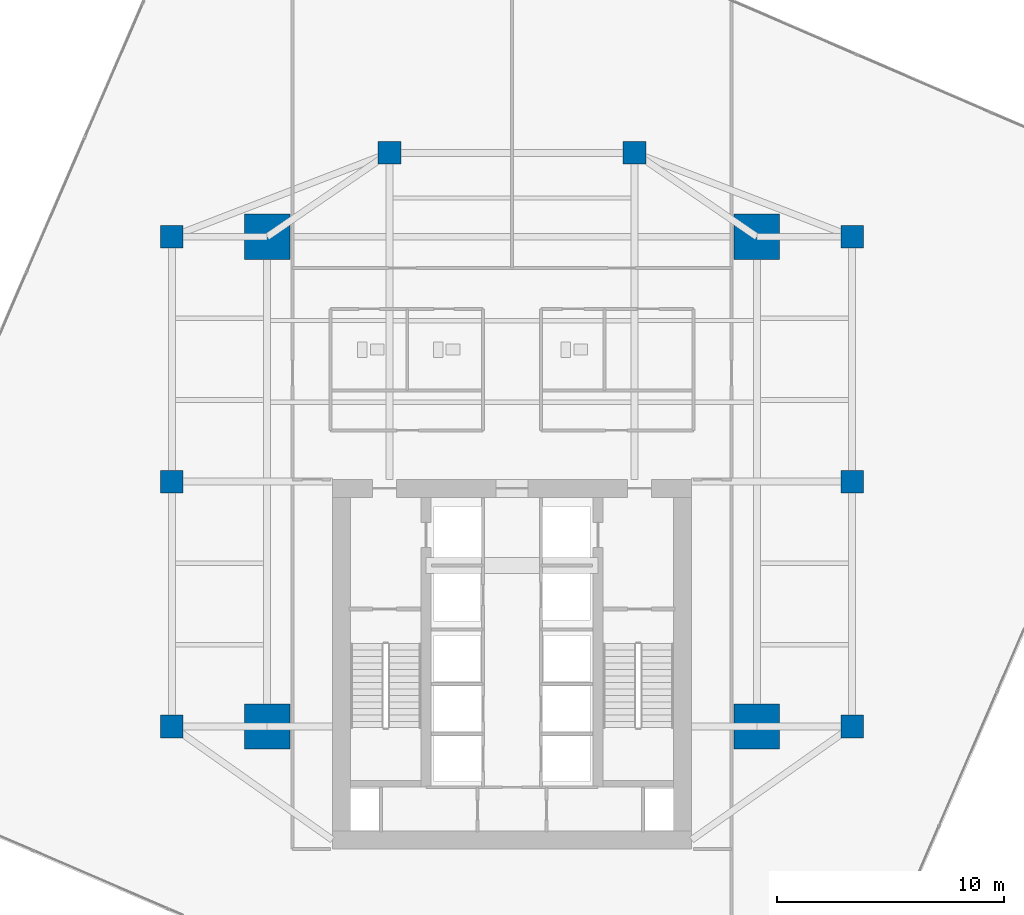
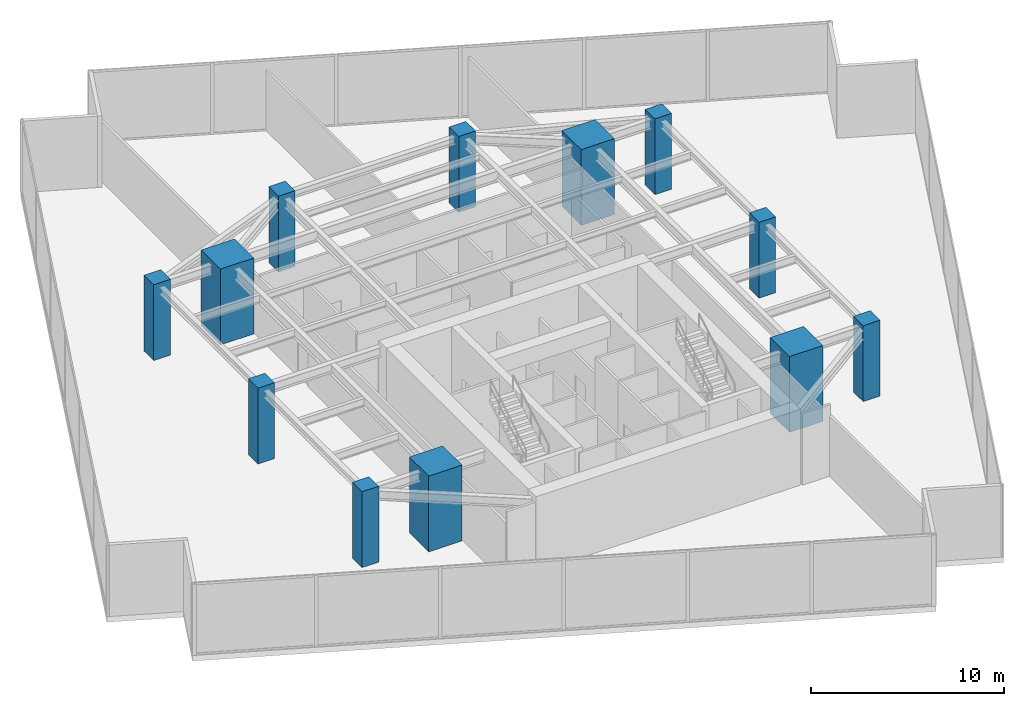
# One storey, part 1 of 24: 12 columns.
"""IFC4 building model written with IfcOpenShell, lengths in metres."""

import ifcopenshell
import ifcopenshell.guid

model = None  # the IFC model being written
_history = None  # IfcOwnerHistory: only IFC2X3 demands one
_inside = {}  # id of a spatial element -> (the spatial element, [elements in it])
_under = {}  # id of a project, library or spatial element -> (it, [spatial elements below it])
_declared = {}  # id of a project -> (the project, [libraries it declares])
_typed = {}  # id of a type object -> (the type object, [elements of that type])
_made_of = {}  # id of a material, layer set ... -> (it, [elements and type objects made of it])


def new_model(schema):
    """Start an empty IFC model of exactly this schema.

    Asked for "IFC4X3", IfcOpenShell would pick the latest addendum, in which some entities
    have other attributes; the version numbers below select the first issue.
    IFC2X3 requires an IfcOwnerHistory on every rooted entity: one is made here for all.
    """
    global model, _history
    if schema == "IFC4X3":
        model = ifcopenshell.file(schema_version=(4, 3, 0, 0))
    else:
        model = ifcopenshell.file(schema=schema)
    _inside.clear()
    _under.clear()
    _declared.clear()
    _typed.clear()
    _made_of.clear()
    _history = None
    if model.schema == "IFC2X3":
        org = make("IfcOrganization", Name="unknown")
        user = make(
            "IfcPersonAndOrganization",
            ThePerson=make("IfcPerson", FamilyName="unknown"),
            TheOrganization=org,
        )
        app = make(
            "IfcApplication",
            ApplicationDeveloper=org,
            Version="unknown",
            ApplicationFullName="unknown",
            ApplicationIdentifier="unknown",
        )
        _history = make(
            "IfcOwnerHistory",
            OwningUser=user,
            OwningApplication=app,
            ChangeAction="ADDED",
            CreationDate=0,
        )
    return model


def make(cls, **values):
    """One entity of the class cls with the attributes given. An attribute that is None is left unset."""
    return model.create_entity(
        cls, **{name: value for name, value in values.items() if value is not None}
    )


def rooted(cls, **values):
    """An entity with a GlobalId (a new one), such as an element, a storey or a relation."""
    return make(cls, GlobalId=ifcopenshell.guid.new(), OwnerHistory=_history, **values)


def si_unit(unit_type, name, prefix=None):
    """IfcSIUnit, for example si_unit("LENGTHUNIT", "METRE", prefix="MILLI")."""
    return make("IfcSIUnit", UnitType=unit_type, Prefix=prefix, Name=name)


def assignment(units):
    """IfcUnitAssignment: the units of a project."""
    return None if units is None else make("IfcUnitAssignment", Units=units)


def point(xyz):
    """IfcCartesianPoint."""
    return None if xyz is None else make("IfcCartesianPoint", Coordinates=xyz)


def direction(xyz):
    """IfcDirection."""
    return None if xyz is None else make("IfcDirection", DirectionRatios=xyz)


def frame(location, z_axis=None, x_axis=None):
    """IfcAxis2Placement3D, a coordinate frame: its origin and axes. An axis left out is left unset."""
    return make(
        "IfcAxis2Placement3D",
        Location=point(location),
        Axis=direction(z_axis),
        RefDirection=direction(x_axis),
    )


def frame_2d(location, x_axis=None):
    """IfcAxis2Placement2D, a coordinate frame in the plane: its origin and x axis."""
    return make(
        "IfcAxis2Placement2D", Location=point(location), RefDirection=direction(x_axis)
    )


def origin():
    """The frame at (0, 0, 0) with its axes left unset."""
    return frame((0.0, 0.0, 0.0))


def origin_2d():
    """The frame at (0, 0) in the plane with its x axis left unset."""
    return frame_2d((0.0, 0.0))


def place(relative_to, where):
    """IfcLocalPlacement: puts the frame where relative to a parent placement (None: the world)."""
    return make(
        "IfcLocalPlacement", PlacementRelTo=relative_to, RelativePlacement=where
    )


def context(
    kind, dimensions, precision=None, world=None, true_north=None, identifier=None
):
    """IfcGeometricRepresentationContext, for example the 3D "Model" context."""
    return make(
        "IfcGeometricRepresentationContext",
        ContextIdentifier=identifier,
        ContextType=kind,
        CoordinateSpaceDimension=dimensions,
        Precision=precision,
        WorldCoordinateSystem=world,
        TrueNorth=true_north,
    )


def subcontext(parent, identifier, kind, view, scale=None):
    """IfcGeometricRepresentationSubContext, for example "Body" below "Model"."""
    return make(
        "IfcGeometricRepresentationSubContext",
        ContextIdentifier=identifier,
        ContextType=kind,
        ParentContext=parent,
        TargetScale=scale,
        TargetView=view,
    )


def project(units=None, contexts=None):
    """IfcProject with its units and contexts."""
    return rooted(
        "IfcProject",
        Name="project",
        RepresentationContexts=contexts,
        UnitsInContext=assignment(units),
    )


def spatial(cls, under=None, at=None, **own):
    """A site, building, storey or space (cls), placed at a placement, below another one or the project."""
    s = rooted(cls, ObjectPlacement=at, **own)
    if under is not None:
        _under.setdefault(under.id(), (under, []))[1].append(s)
    return s


def profile(cls, at=None, kind="AREA", **sizes):
    """A parametric profile (cls). Its sizes go by their IFC names, for example OverallWidth=200.0."""
    return make(cls, ProfileType=kind, Position=at, **sizes)


def rectangle(**sizes):
    """IfcRectangleProfileDef."""
    return profile("IfcRectangleProfileDef", **sizes)


def extrude(swept, where, along, depth):
    """IfcExtrudedAreaSolid: the profile swept, set in the frame where, extruded along a direction by depth."""
    return make(
        "IfcExtrudedAreaSolid",
        SweptArea=swept,
        Position=where,
        ExtrudedDirection=direction(along),
        Depth=depth,
    )


def shape(context_of_items, identifier, shape_type, items):
    """IfcShapeRepresentation: the items that make up one representation, for example the "Body"."""
    return make(
        "IfcShapeRepresentation",
        ContextOfItems=context_of_items,
        RepresentationIdentifier=identifier,
        RepresentationType=shape_type,
        Items=items,
    )


def source(mapping_origin, context_of_items, identifier, shape_type, items):
    """IfcRepresentationMap: a shape defined once, which mapped items show again and again."""
    return make(
        "IfcRepresentationMap",
        MappingOrigin=mapping_origin,
        MappedRepresentation=shape(context_of_items, identifier, shape_type, items),
    )


def transform(
    local_origin,
    x_axis=None,
    y_axis=None,
    z_axis=None,
    scale=None,
    scale2=None,
    scale3=None,
    uniform=True,
):
    """IfcCartesianTransformationOperator3D, or its non-uniform kind. x_axis, y_axis, z_axis: its Axis1, 2, 3."""
    if uniform:
        return make(
            "IfcCartesianTransformationOperator3D",
            Axis1=direction(x_axis),
            Axis2=direction(y_axis),
            LocalOrigin=point(local_origin),
            Scale=scale,
            Axis3=direction(z_axis),
        )
    return make(
        "IfcCartesianTransformationOperator3DnonUniform",
        Axis1=direction(x_axis),
        Axis2=direction(y_axis),
        LocalOrigin=point(local_origin),
        Scale=scale,
        Axis3=direction(z_axis),
        Scale2=scale2,
        Scale3=scale3,
    )


def mapped(mapping_source, mapping_target):
    """IfcMappedItem: shows the shape of a source again, moved by a transform."""
    return make(
        "IfcMappedItem", MappingSource=mapping_source, MappingTarget=mapping_target
    )


def material(Name=None, Category=None):
    """IfcMaterial."""
    return make("IfcMaterial", Name=Name, Category=Category)


def material_profile(
    of_material, cross_section, Name=None, Category=None, Priority=None
):
    """IfcMaterialProfile: a cross section and its material."""
    return make(
        "IfcMaterialProfile",
        Name=Name,
        Material=of_material,
        Profile=cross_section,
        Priority=Priority,
        Category=Category,
    )


def profile_set(profiles, Name=None, composite=None):
    """IfcMaterialProfileSet."""
    return make(
        "IfcMaterialProfileSet",
        Name=Name,
        MaterialProfiles=profiles,
        CompositeProfile=composite,
    )


def made_of(thing, what):
    """Note that an element or type object is made of a material, layer set ...; save() writes the relation."""
    if what is not None:
        _made_of.setdefault(what.id(), (what, []))[1].append(thing)
    return thing


def type_object(cls, material=None, **own):
    """A type object (cls), such as IfcWallType, which elements share."""
    return made_of(rooted(cls, **own), material)


def type_shapes(of_type, sources):
    """Give a type object the sources (RepresentationMaps) that its elements show as mapped items."""
    of_type.RepresentationMaps = sources


def element(
    cls,
    number,
    at=None,
    inside=None,
    cuts=None,
    type_object=None,
    material=None,
    context=None,
    identifier="Body",
    shape_type=None,
    held_by="IfcProductDefinitionShape",
    body=None,
    shapes=None,
    **own,
):
    """One element of the class cls, such as IfcWall. Its Tag is "e" and its number.

    at: its placement. inside: the storey or other place that contains it. cuts: it is an
    opening in that element (IfcRelVoidsElement). A single representation is given by context,
    identifier, shape_type and body (its items); several are given by shapes. held_by: the class
    of the entity that holds the representations. save() writes the other relations.
    """
    e = rooted(cls, Tag="e%d" % number, ObjectPlacement=at, **own)
    if body is not None:
        shapes = [shape(context, identifier, shape_type, body)]
    if shapes is not None:
        e.Representation = make(held_by, Representations=shapes)
    if inside is not None:
        _inside.setdefault(inside.id(), (inside, []))[1].append(e)
    if cuts is not None:
        rooted(
            "IfcRelVoidsElement", RelatingBuildingElement=cuts, RelatedOpeningElement=e
        )
    if type_object is not None:
        _typed.setdefault(type_object.id(), (type_object, []))[1].append(e)
    return made_of(e, material)


def aggregate(whole, parts):
    """IfcRelAggregates: a whole, such as a stair, and the parts it consists of."""
    return rooted("IfcRelAggregates", RelatingObject=whole, RelatedObjects=parts)


def save(model, path):
    """Write the relations noted so far, then the file.

    IfcRelAggregates (storeys below a building ...), IfcRelContainedInSpatialStructure (elements
    in a storey), IfcRelDefinesByType, IfcRelAssociatesMaterial and IfcRelDeclares: one each for
    every whole, place, type object, material and project.
    """
    for whole, parts in _under.values():
        aggregate(whole, parts)
    for where, things in _inside.values():
        rooted(
            "IfcRelContainedInSpatialStructure",
            RelatedElements=things,
            RelatingStructure=where,
        )
    for kind, things in _typed.values():
        rooted("IfcRelDefinesByType", RelatedObjects=things, RelatingType=kind)
    for what, things in _made_of.values():
        rooted("IfcRelAssociatesMaterial", RelatedObjects=things, RelatingMaterial=what)
    for by, libraries in _declared.values():
        rooted("IfcRelDeclares", RelatingContext=by, RelatedDefinitions=libraries)
    model.write(path)


model = new_model("IFC4")

# Units and contexts
model_context = context("Model", 3, precision=1e-05, world=origin(), true_north=direction((0.0, 1.0)))
body_context = subcontext(model_context, "Body", "Model", "MODEL_VIEW")
ifc_project = project(units=[si_unit("LENGTHUNIT", "METRE"), si_unit("AREAUNIT", "SQUARE_METRE"), si_unit("VOLUMEUNIT", "CUBIC_METRE"), si_unit("PLANEANGLEUNIT", "RADIAN"), si_unit("MASSUNIT", "GRAM", prefix="KILO")], contexts=[model_context])

# Site, building, storey
site_placement = place(None, origin())
site = spatial("IfcSite", under=ifc_project, at=site_placement, CompositionType="ELEMENT")
building_placement = place(site_placement, origin())
building = spatial("IfcBuilding", under=site, at=building_placement, Name="Krantzveldt Concourse Tower", CompositionType="ELEMENT")
storey_placement = place(building_placement, frame((0.0, 0.0, 141.39990234375)))
storey = spatial("IfcBuildingStorey", under=building, at=storey_placement, Name="L34", CompositionType="ELEMENT", Elevation=141.39990234375)

# Columns
ifc_material = material(Name="Concrete C60/75", Category="concrete")
ifc_material_profile_1 = material_profile(ifc_material, rectangle(XDim=2.0, YDim=2.0, at=origin_2d()), Name="Concrete C60/75", Category="concrete")
ifc_profile_set_1 = profile_set([ifc_material_profile_1], Name="Concrete C60/75 - RC 2000x2000")
column_type_1 = type_object("IfcColumnType", Name="COL-MC-2000", PredefinedType="USERDEFINED", material=ifc_profile_set_1)
shared_shape_1 = source(origin(), body_context, "Body", "SweptSolid", [
    extrude(rectangle(XDim=2.0, YDim=2.0, at=origin_2d()), origin(), (0.0, 0.0, 1.0), 4.800048828125),
])
type_shapes(column_type_1, [shared_shape_1])
for number, where, z_axis, x_axis, name in (
    (1, (25.199951171875, 15.89990234375, 0.0), (0.0, 0.0, 1.0), (1.0, 0.0, 0.0), "MC-SW-L34"),
    (2, (46.800048828125, 15.89990234375, 0.0), (0.0, 0.0, 1.0), (1.0, 0.0, 0.0), "MC-SE-L34"),
    (3, (46.800048828125, 37.5, 0.0), (0.0, 0.0, 1.0), (1.0, 0.0, 0.0), "MC-NE-L34"),
    (4, (25.199951171875, 37.5, 0.0), (0.0, 0.0, 1.0), (1.0, 0.0, 0.0), "MC-NW-L34"),
):
    element("IfcColumn", number, at=place(storey_placement, frame(where, z_axis=z_axis, x_axis=x_axis)), inside=storey, type_object=column_type_1, Name=name, ObjectType="MEGA COLUMN", PredefinedType="USERDEFINED", context=body_context, shape_type="MappedRepresentation", body=[
        mapped(shared_shape_1, transform((0.0, 0.0, 0.0), x_axis=(1.0, 0.0, 0.0), y_axis=(0.0, 1.0, 0.0), z_axis=(0.0, 0.0, 1.0), scale=1.0)),
    ])
ifc_material_profile_2 = material_profile(ifc_material, rectangle(XDim=1.0, YDim=1.0, at=origin_2d()), Name="Concrete C60/75", Category="concrete")
ifc_profile_set_2 = profile_set([ifc_material_profile_2], Name="Concrete C60/75 - RC 1000x1000")
column_type_2 = type_object("IfcColumnType", Name="COL-C-Z2", PredefinedType="COLUMN", material=ifc_profile_set_2)
shared_shape_2 = source(origin(), body_context, "Body", "SweptSolid", [
    extrude(rectangle(XDim=1.0, YDim=1.0, at=origin_2d()), origin(), (0.0, 0.0, 1.0), 4.800048828125),
])
type_shapes(column_type_2, [shared_shape_2])
for number, where, z_axis, x_axis, name in (
    (5, (21.0, 15.89990234375, 0.0), (0.0, 0.0, 1.0), (1.0, 0.0, 0.0), "PC-R01-L34"),
    (6, (21.0, 26.699951171875, 0.0), (0.0, 0.0, 1.0), (1.0, 0.0, 0.0), "PC-R02-L34"),
    (7, (21.0, 37.5, 0.0), (0.0, 0.0, 1.0), (1.0, 0.0, 0.0), "PC-R03-L34"),
    (8, (30.60009765625, 41.199951171875, 0.0), (0.0, 0.0, 1.0), (1.0, 0.0, 0.0), "PC-R04-L34"),
    (9, (41.39990234375, 41.199951171875, 0.0), (0.0, 0.0, 1.0), (1.0, 0.0, 0.0), "PC-R05-L34"),
    (10, (51.0, 37.5, 0.0), (0.0, 0.0, 1.0), (1.0, 0.0, 0.0), "PC-R06-L34"),
    (11, (51.0, 26.699951171875, 0.0), (0.0, 0.0, 1.0), (1.0, 0.0, 0.0), "PC-R07-L34"),
    (12, (51.0, 15.89990234375, 0.0), (0.0, 0.0, 1.0), (1.0, 0.0, 0.0), "PC-R08-L34"),
):
    element("IfcColumn", number, at=place(storey_placement, frame(where, z_axis=z_axis, x_axis=x_axis)), inside=storey, type_object=column_type_2, Name=name, PredefinedType="COLUMN", context=body_context, shape_type="MappedRepresentation", body=[
        mapped(shared_shape_2, transform((0.0, 0.0, 0.0), x_axis=(1.0, 0.0, 0.0), y_axis=(0.0, 1.0, 0.0), z_axis=(0.0, 0.0, 1.0), scale=1.0)),
    ])

save(model, "model.ifc")
